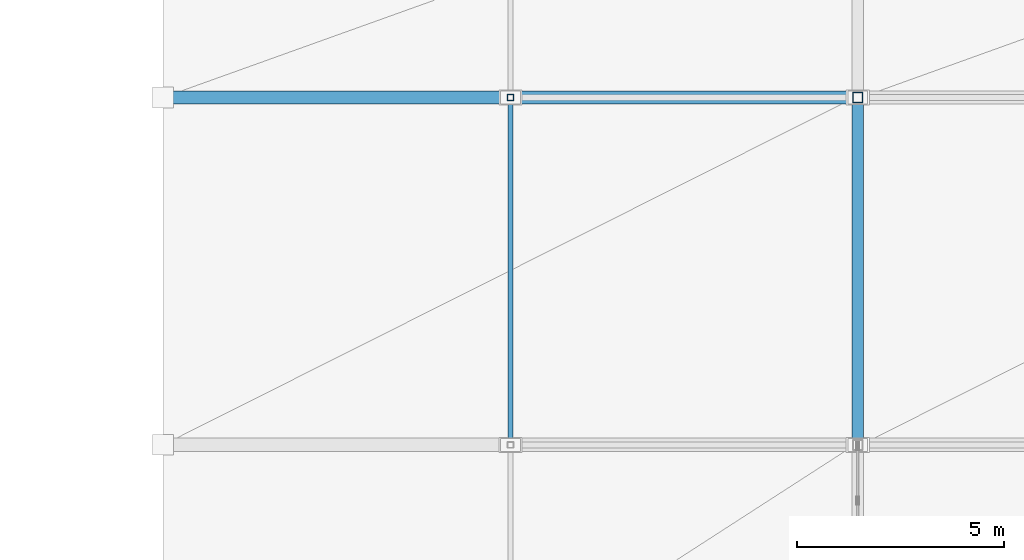
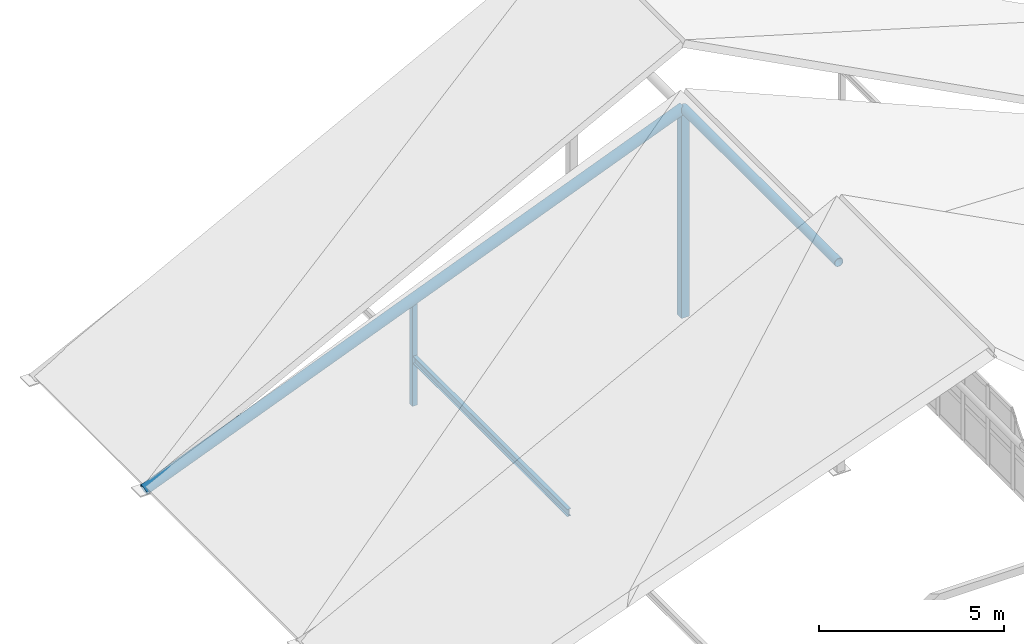
# One storey, part 32 of 76: 5 members.
"""IFC4 building model written with IfcOpenShell, lengths in metres."""

from ifc_helpers import new_model, si_unit, direction, frame, origin, origin_2d, place, context, subcontext, project, spatial, hollow_rectangle, hollow_circle, i_section, extrude, material, material_profile, profile_set, type_object, element, save


model = new_model("IFC4")

# Units and contexts
model_context = context("Model", 3, precision=1e-05, world=origin(), true_north=direction((0.0, 1.0)))
body_context = subcontext(model_context, "Body", "Model", "MODEL_VIEW")
ifc_project = project(units=[si_unit("LENGTHUNIT", "METRE"), si_unit("AREAUNIT", "SQUARE_METRE"), si_unit("VOLUMEUNIT", "CUBIC_METRE"), si_unit("PLANEANGLEUNIT", "RADIAN"), si_unit("MASSUNIT", "GRAM", prefix="KILO")], contexts=[model_context])

# Site, building, storey
site_placement = place(None, origin())
site = spatial("IfcSite", under=ifc_project, at=site_placement, CompositionType="ELEMENT")
building_placement = place(site_placement, origin())
building = spatial("IfcBuilding", under=site, at=building_placement, Name="Krzemoval Escarpment Law Courts", CompositionType="ELEMENT")
storey_placement = place(building_placement, frame((0.0, 0.0, 20.39990234375)))
storey = spatial("IfcBuildingStorey", under=building, at=storey_placement, Name="L04", CompositionType="ELEMENT", Elevation=20.39990234375)

# Members
ifc_material_1 = material(Name="Steel S355", Category="steel")
ifc_material_profile_1 = material_profile(ifc_material_1, hollow_circle(Radius=0.136474609375, WallThickness=0.012451171875, at=origin_2d()), Name="CHS 273x12.5")
ifc_profile_set_1 = profile_set([ifc_material_profile_1], Name="Steel S355")
member_type_1 = type_object("IfcMemberType", Name="MBR-CHD-CHS273", PredefinedType="CHORD", material=ifc_profile_set_1)
member_1_placement = place(storey_placement, frame((25.199951171875, 85.199951171875, 6.550048828125), z_axis=(0.0, 1.0, 0.0), x_axis=(-1.0, 0.0, 0.0)))
element("IfcMember", 1, at=member_1_placement, inside=storey, type_object=member_type_1, Name="Roof Truss Top Chord TC-0073", PredefinedType="CHORD", context=body_context, shape_type="SweptSolid", body=[
    extrude(hollow_circle(Radius=0.136474609375, WallThickness=0.012451171875, at=origin_2d()), origin(), (0.0, 0.0, 1.0), 8.400146484375),
])
ifc_material_2 = material(Name="Steel S355", Category="steel")
ifc_material_profile_2 = material_profile(ifc_material_2, hollow_circle(Radius=0.161865234375, WallThickness=0.01611328125, at=origin_2d()), Name="CHS 323.9x16")
ifc_profile_set_2 = profile_set([ifc_material_profile_2], Name="Steel S355")
member_type_2 = type_object("IfcMemberType", Name="MBR-CHD-CHS324", PredefinedType="CHORD", material=ifc_profile_set_2)
member_2_placement = place(storey_placement, frame((8.39990234375, 93.60009765625, -0.14990234375), z_axis=(0.928858805287, 0.0, 0.370433961511), x_axis=(0.0, 1.0, 0.0)))
element("IfcMember", 2, at=member_2_placement, inside=storey, type_object=member_type_2, Name="Roof Rafter Chord TC-0046", PredefinedType="CHORD", context=body_context, shape_type="SweptSolid", body=[
    extrude(hollow_circle(Radius=0.161865234375, WallThickness=0.01611328125, at=origin_2d()), origin(), (0.0, 0.0, 1.0), 18.086669921875),
])
ifc_material_3 = material(Name="Steel S355", Category="steel")
ifc_material_profile_3 = material_profile(ifc_material_3, i_section(OverallWidth=0.1201171875, OverallDepth=0.239990234375, WebThickness=0.006103515625, FlangeThickness=0.009765625, at=origin_2d()), Name="IPE 240")
ifc_profile_set_3 = profile_set([ifc_material_profile_3], Name="Steel S355")
member_type_3 = type_object("IfcMemberType", Name="MBR-PUR-IPE240", PredefinedType="PURLIN", material=ifc_profile_set_3)
member_3_placement = place(storey_placement, frame((16.800048828125, 85.199951171875, 1.25), z_axis=(0.0, 1.0, 0.0), x_axis=(-1.0, 0.0, 0.0)))
element("IfcMember", 3, at=member_3_placement, inside=storey, type_object=member_type_3, Name="Roof Purlin PR-0074", PredefinedType="PURLIN", context=body_context, shape_type="SweptSolid", body=[
    extrude(i_section(OverallWidth=0.1201171875, OverallDepth=0.239990234375, WebThickness=0.006103515625, FlangeThickness=0.009765625, at=origin_2d()), origin(), (0.0, 0.0, 1.0), 8.400146484375),
])
ifc_material_4 = material(Name="Steel S355", Category="steel")
ifc_material_profile_4 = material_profile(ifc_material_4, hollow_rectangle(XDim=0.14990234375, YDim=0.14990234375, WallThickness=0.008056640625, at=origin_2d()), Name="SHS 150x150x8")
ifc_profile_set_4 = profile_set([ifc_material_profile_4], Name="Steel S355")
member_type_4 = type_object("IfcMemberType", Name="MBR-STR-SHS150", PredefinedType="STRUT", material=ifc_profile_set_4)
member_4_placement = place(storey_placement, frame((16.800048828125, 93.60009765625, -0.27978515625), z_axis=(0.0, 0.0, 1.0), x_axis=(1.0, 0.0, 0.0)))
element("IfcMember", 4, at=member_4_placement, inside=storey, type_object=member_type_4, Name="Roof Truss Web Strut ST-0044", PredefinedType="STRUT", context=body_context, shape_type="SweptSolid", body=[
    extrude(hollow_rectangle(XDim=0.14990234375, YDim=0.14990234375, WallThickness=0.008056640625, at=origin_2d()), origin(), (0.0, 0.0, 1.0), 3.47998046875),
])
ifc_material_5 = material(Name="Steel S355", Category="steel")
ifc_material_profile_5 = material_profile(ifc_material_5, hollow_rectangle(XDim=0.25, YDim=0.25, WallThickness=0.012451171875, at=origin_2d()), Name="SHS 250x250x12.5")
ifc_profile_set_5 = profile_set([ifc_material_profile_5], Name="Steel S355")
member_type_5 = type_object("IfcMemberType", Name="MBR-STR-SHS250", PredefinedType="STRUT", material=ifc_profile_set_5)
member_5_placement = place(storey_placement, frame((25.199951171875, 93.60009765625, -0.27978515625), z_axis=(0.0, 0.0, 1.0), x_axis=(1.0, 0.0, 0.0)))
element("IfcMember", 5, at=member_5_placement, inside=storey, type_object=member_type_5, Name="Roof Truss King Strut ST-0043", PredefinedType="STRUT", context=body_context, shape_type="SweptSolid", body=[
    extrude(hollow_rectangle(XDim=0.25, YDim=0.25, WallThickness=0.012451171875, at=origin_2d()), origin(), (0.0, 0.0, 1.0), 6.829833984375),
])

save(model, "model.ifc")
